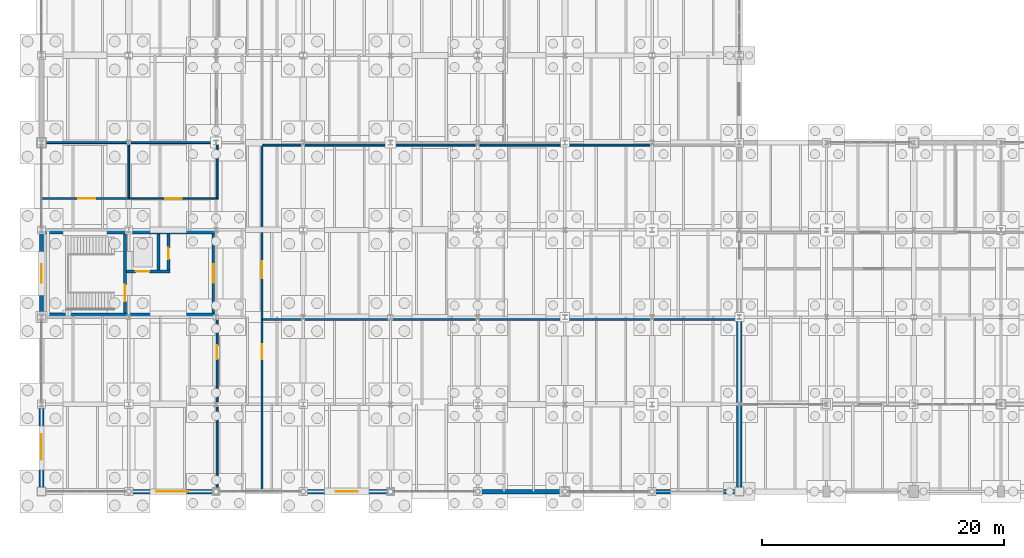
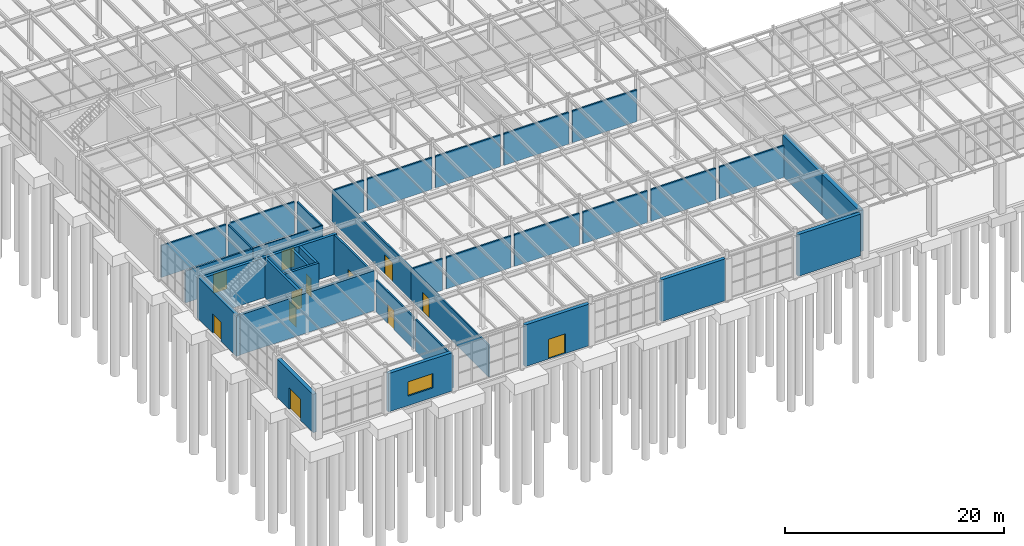
# One storey, part 262 of 293: 36 walls, 12 doors, 1 window, 13 openings.
"""IFC4 building model written with IfcOpenShell, lengths in metres."""

from ifc_helpers import new_model, si_unit, direction, frame, frame_2d, origin, place, context, subcontext, project, spatial, rectangle, extrude, material, layer, layer_set, type_object, element, fill, save


model = new_model("IFC4")

# Units and contexts
model_context = context("Model", 3, precision=1e-05, world=origin(), true_north=direction((0.0, 1.0)))
body_context = subcontext(model_context, "Body", "Model", "MODEL_VIEW")
ifc_project = project(units=[si_unit("LENGTHUNIT", "METRE"), si_unit("AREAUNIT", "SQUARE_METRE"), si_unit("VOLUMEUNIT", "CUBIC_METRE"), si_unit("PLANEANGLEUNIT", "RADIAN"), si_unit("MASSUNIT", "GRAM", prefix="KILO")], contexts=[model_context])

# Site, building, storey
site_placement = place(None, origin())
site = spatial("IfcSite", under=ifc_project, at=site_placement, CompositionType="ELEMENT")
building_placement = place(site_placement, origin())
building = spatial("IfcBuilding", under=site, at=building_placement, Name="Kemerveld Promenade Tramway Depot", CompositionType="ELEMENT")
storey_placement = place(building_placement, origin())
storey = spatial("IfcBuildingStorey", under=building, at=storey_placement, Name="L00", CompositionType="ELEMENT", Elevation=0.0)

# Wall, opening, door
ifc_material_1 = material(Name="Concrete C40/50", Category="concrete")
ifc_layer_1 = layer(ifc_material_1, 0.25)
ifc_layer_set_1 = layer_set([ifc_layer_1], Name="WL-CORE-250")
wall_type_1 = type_object("IfcWallType", Name="WL-CORE-250", PredefinedType="SHEAR", material=ifc_layer_set_1)
wall_1_placement = place(storey_placement, frame((6.89990234375, 14.75, 0.0), z_axis=(0.0, 0.0, 1.0), x_axis=(0.0, 1.0, 0.0)))
wall_1 = element("IfcWall", 1, at=wall_1_placement, inside=storey, type_object=wall_type_1, Name="WL-C1-L00-SDIV", PredefinedType="SHEAR", context=body_context, shape_type="SweptSolid", body=[
    extrude(rectangle(XDim=6.5, YDim=0.25, at=frame_2d((3.25, 0.0))), origin(), (0.0, 0.0, 1.0), 4.449951171875),
])
opening_1_placement = place(wall_1_placement, frame((0.949951171875, 0.0, 0.0)))
opening_1 = element("IfcOpeningElement", 2, at=opening_1_placement, cuts=wall_1, Name="Opening D-501", PredefinedType="OPENING", context=body_context, shape_type="SweptSolid", body=[
    extrude(rectangle(XDim=1.35009765625, YDim=2.14990234375, at=frame_2d((0.675048828125, 1.074951171875))), frame((0.0, 0.135009765625, 0.0), z_axis=(0.0, -1.0, 0.0), x_axis=(1.0, 0.0, 0.0)), (0.0, 0.0, 1.0), 0.27001953125),
])
ifc_material_2 = material(Name="Galvanised steel fire stair door", Category="steel")
door_type_1 = type_object("IfcDoorType", Name="DR-FD120", OperationType="NOTDEFINED", PredefinedType="DOOR", material=ifc_material_2)
door_1_placement = place(opening_1_placement, origin())
door_1 = element("IfcDoor", 3, at=door_1_placement, inside=storey, type_object=door_type_1, Name="DR-C1-L00-STAIR", OperationType="SINGLE_SWING_RIGHT", OverallHeight=2.14990234375, OverallWidth=1.35009765625, PredefinedType="DOOR", context=body_context, shape_type="SweptSolid", body=[
    extrude(rectangle(XDim=1.35009765625, YDim=2.14990234375, at=frame_2d((0.675048828125, 1.074951171875))), frame((0.0, 0.02490234375, 0.0), z_axis=(0.0, -1.0, 0.0), x_axis=(1.0, 0.0, 0.0)), (0.0, 0.0, 1.0), 0.050048828125),
])
fill(opening_1, door_1)

wall_2_placement = place(storey_placement, frame((7.02490234375, 18.159912109375, 0.0), z_axis=(0.0, 0.0, 1.0), x_axis=(1.0, 0.0, 0.0)))
wall_2 = element("IfcWall", 4, at=wall_2_placement, inside=storey, type_object=wall_type_1, Name="WL-C1-L00-LSHS", PredefinedType="SHEAR", context=body_context, shape_type="SweptSolid", body=[
    extrude(rectangle(XDim=3.580078125, YDim=0.25, at=frame_2d((1.7900390625, 0.0))), origin(), (0.0, 0.0, 1.0), 4.449951171875),
])
opening_2_placement = place(wall_2_placement, frame((0.77490234375, 0.0, 0.0)))
opening_2 = element("IfcOpeningElement", 5, at=opening_2_placement, cuts=wall_2, Name="Opening LD-502", PredefinedType="OPENING", context=body_context, shape_type="SweptSolid", body=[
    extrude(rectangle(XDim=1.10009765625, YDim=2.14990234375, at=frame_2d((0.550048828125, 1.074951171875))), frame((0.0, 0.135009765625, 0.0), z_axis=(0.0, -1.0, 0.0), x_axis=(1.0, 0.0, 0.0)), (0.0, 0.0, 1.0), 0.27001953125),
])
ifc_material_3 = material(Name="Brushed stainless steel sliding lift landing door", Category="steel")
door_type_2 = type_object("IfcDoorType", Name="DR-LD01", OperationType="SLIDING_TO_LEFT", PredefinedType="DOOR", material=ifc_material_3)
door_2_placement = place(opening_2_placement, origin())
door_2 = element("IfcDoor", 6, at=door_2_placement, inside=storey, type_object=door_type_2, Name="DR-C1-L00-LIFT", OperationType="SLIDING_TO_LEFT", OverallHeight=2.14990234375, OverallWidth=1.10009765625, PredefinedType="DOOR", context=body_context, shape_type="SweptSolid", body=[
    extrude(rectangle(XDim=1.10009765625, YDim=2.14990234375, at=frame_2d((0.550048828125, 1.074951171875))), frame((0.0, 0.02490234375, 0.0), z_axis=(0.0, -1.0, 0.0), x_axis=(1.0, 0.0, 0.0)), (0.0, 0.0, 1.0), 0.050048828125),
])
fill(opening_2, door_2)

# Wall
wall_3_placement = place(storey_placement, frame((9.64990234375, 18.284912109375, 0.0), z_axis=(0.0, 0.0, 1.0), x_axis=(0.0, 1.0, 0.0)))
element("IfcWall", 7, at=wall_3_placement, inside=storey, type_object=wall_type_1, Name="WL-C1-L00-LSHM", PredefinedType="SHEAR", context=body_context, shape_type="SweptSolid", body=[
    extrude(rectangle(XDim=2.965087890625, YDim=0.25, at=frame_2d((1.482421875, 0.0))), origin(), (0.0, 0.0, 1.0), 4.449951171875),
])

# Wall, opening, door
wall_4_placement = place(storey_placement, frame((10.47998046875, 18.284912109375, 0.0), z_axis=(0.0, 0.0, 1.0), x_axis=(0.0, 1.0, 0.0)))
wall_4 = element("IfcWall", 8, at=wall_4_placement, inside=storey, type_object=wall_type_1, Name="WL-C1-L00-LSHE", PredefinedType="SHEAR", context=body_context, shape_type="SweptSolid", body=[
    extrude(rectangle(XDim=2.965087890625, YDim=0.25, at=frame_2d((1.482421875, 0.0))), origin(), (0.0, 0.0, 1.0), 4.449951171875),
])
opening_3_placement = place(wall_4_placement, frame((0.89990234375, 0.0, 0.0)))
opening_3 = element("IfcOpeningElement", 9, at=opening_3_placement, cuts=wall_4, Name="Opening D-503", PredefinedType="OPENING", context=body_context, shape_type="SweptSolid", body=[
    extrude(rectangle(XDim=0.919921875, YDim=2.050048828125, at=frame_2d((0.4599609375, 1.02490234375))), frame((0.0, 0.135009765625, 0.0), z_axis=(0.0, -1.0, 0.0), x_axis=(1.0, 0.0, 0.0)), (0.0, 0.0, 1.0), 0.27001953125),
])
ifc_material_4 = material(Name="Steel riser shaft access fire door", Category="steel")
door_type_3 = type_object("IfcDoorType", Name="DR-RSR01", OperationType="NOTDEFINED", PredefinedType="DOOR", material=ifc_material_4)
door_3_placement = place(opening_3_placement, origin())
door_3 = element("IfcDoor", 10, at=door_3_placement, inside=storey, type_object=door_type_3, Name="DR-C1-L00-RISER", OperationType="SINGLE_SWING_LEFT", OverallHeight=2.050048828125, OverallWidth=0.919921875, PredefinedType="DOOR", context=body_context, shape_type="SweptSolid", body=[
    extrude(rectangle(XDim=0.919921875, YDim=2.050048828125, at=frame_2d((0.4599609375, 1.02490234375))), frame((0.0, 0.02490234375, 0.0), z_axis=(0.0, -1.0, 0.0), x_axis=(1.0, 0.0, 0.0)), (0.0, 0.0, 1.0), 0.050048828125),
])
fill(opening_3, door_3)

# Walls
ifc_layer_2 = layer(ifc_material_1, 0.300048828125)
ifc_layer_set_2 = layer_set([ifc_layer_2], Name="WL-CORE-300")
wall_type_2 = type_object("IfcWallType", Name="WL-CORE-300", PredefinedType="SHEAR", material=ifc_layer_set_2)
for number, where, z_axis, x_axis, name in (
    (11, (0.169921875, 14.60009765625, 0.0), (0.0, 0.0, 1.0), (1.0, 0.0, 0.0), "WL-C1-L00-S"),
    (12, (0.169921875, 21.39990234375, 0.0), (0.0, 0.0, 1.0), (1.0, 0.0, 0.0), "WL-C1-L00-N"),
):
    element("IfcWall", number, at=place(storey_placement, frame(where, z_axis=z_axis, x_axis=x_axis)), inside=storey, type_object=wall_type_2, Name=name, PredefinedType="SHEAR", context=body_context, shape_type="SweptSolid", body=[
        extrude(rectangle(XDim=14.22998046875, YDim=0.300048828125, at=frame_2d((7.114990234375, 0.0))), origin(), (0.0, 0.0, 1.0), 4.449951171875),
    ])

# Wall, opening, door
ifc_material_5 = material(Name="Harare granite ashlar and clay brick cavity masonry", Category="masonry")
ifc_layer_3 = layer(ifc_material_5, 0.3798828125)
ifc_layer_set_3 = layer_set([ifc_layer_3], Name="WL-EXT-380")
wall_type_3 = type_object("IfcWallType", Name="WL-EXT-380", PredefinedType="SOLIDWALL", material=ifc_layer_set_3)
wall_5_placement = place(storey_placement, frame((0.0, 0.39501953125, 0.0), z_axis=(0.0, 0.0, 1.0), x_axis=(0.0, 1.0, 0.0)))
wall_5 = element("IfcWall", 13, at=wall_5_placement, inside=storey, type_object=wall_type_3, Name="WL-L00-V5W-01", PredefinedType="SOLIDWALL", context=body_context, shape_type="SweptSolid", body=[
    extrude(rectangle(XDim=6.5986328125, YDim=0.3798828125, at=frame_2d((3.29931640625, 0.0))), origin(), (0.0, 0.0, 1.0), 4.280029296875),
])
opening_4_placement = place(wall_5_placement, frame((2.2490234375, 0.0, 0.0)))
opening_4 = element("IfcOpeningElement", 14, at=opening_4_placement, cuts=wall_5, Name="Opening D-125", PredefinedType="OPENING", context=body_context, shape_type="SweptSolid", body=[
    extrude(rectangle(XDim=2.10009765625, YDim=2.35009765625, at=frame_2d((1.050048828125, 1.175048828125))), frame((0.0, 0.199951171875, 0.0), z_axis=(0.0, -1.0, 0.0), x_axis=(1.0, 0.0, 0.0)), (0.0, 0.0, 1.0), 0.39990234375),
])
ifc_material_6 = material(Name="Hardwood timber and bronze glazed portal door", Category="wood")
door_type_4 = type_object("IfcDoorType", Name="DR-EX03", OperationType="DOUBLE_SWING_LEFT", PredefinedType="DOOR", material=ifc_material_6)
door_4_placement = place(opening_4_placement, origin())
door_4 = element("IfcDoor", 15, at=door_4_placement, inside=storey, type_object=door_type_4, Name="EX-07", OperationType="DOUBLE_SWING_LEFT", OverallHeight=2.35009765625, OverallWidth=2.10009765625, PredefinedType="DOOR", context=body_context, shape_type="SweptSolid", body=[
    extrude(rectangle(XDim=2.10009765625, YDim=2.35009765625, at=frame_2d((1.050048828125, 1.175048828125))), frame((0.0, 0.02490234375, 0.0), z_axis=(0.0, -1.0, 0.0), x_axis=(1.0, 0.0, 0.0)), (0.0, 0.0, 1.0), 0.050048828125),
])
fill(opening_4, door_4)

# Walls
wall_6_placement = place(storey_placement, frame((57.205078125, 0.0, 0.0), z_axis=(0.0, 0.0, 1.0), x_axis=(-1.0, 0.0, 0.0)))
element("IfcWall", 16, at=wall_6_placement, inside=storey, type_object=wall_type_3, Name="WL-L00-V5S-01", PredefinedType="SOLIDWALL", context=body_context, shape_type="SweptSolid", body=[
    extrude(rectangle(XDim=6.581787109375, YDim=0.3798828125, at=frame_2d((3.291015625, 0.0))), origin(), (0.0, 0.0, 1.0), 4.64990234375),
])
wall_7_placement = place(storey_placement, frame((42.976806640625, 0.0, 0.0), z_axis=(0.0, 0.0, 1.0), x_axis=(-1.0, 0.0, 0.0)))
element("IfcWall", 17, at=wall_7_placement, inside=storey, type_object=wall_type_3, Name="WL-L00-V5S-03", PredefinedType="SOLIDWALL", context=body_context, shape_type="SweptSolid", body=[
    extrude(rectangle(XDim=6.753662109375, YDim=0.3798828125, at=frame_2d((3.376953125, 0.0))), origin(), (0.0, 0.0, 1.0), 4.64990234375),
])

# Wall, opening, door
wall_8_placement = place(storey_placement, frame((28.576904296875, 0.0, 0.0), z_axis=(0.0, 0.0, 1.0), x_axis=(-1.0, 0.0, 0.0)))
wall_8 = element("IfcWall", 18, at=wall_8_placement, inside=storey, type_object=wall_type_3, Name="WL-L00-V5S-05", PredefinedType="SOLIDWALL", context=body_context, shape_type="SweptSolid", body=[
    extrude(rectangle(XDim=6.753662109375, YDim=0.3798828125, at=frame_2d((3.376953125, 0.0))), origin(), (0.0, 0.0, 1.0), 4.64990234375),
])
opening_5_placement = place(wall_8_placement, frame((2.47705078125, 0.0, 0.0)))
opening_5 = element("IfcOpeningElement", 19, at=opening_5_placement, cuts=wall_8, Name="Opening D-127", PredefinedType="OPENING", context=body_context, shape_type="SweptSolid", body=[
    extrude(rectangle(XDim=1.800048828125, YDim=2.199951171875, at=frame_2d((0.89990234375, 1.10009765625))), frame((0.0, 0.199951171875, 0.0), z_axis=(0.0, -1.0, 0.0), x_axis=(1.0, 0.0, 0.0)), (0.0, 0.0, 1.0), 0.39990234375),
])
ifc_material_7 = material(Name="Bronze anodised aluminium and safety glass", Category="aluminium")
door_type_5 = type_object("IfcDoorType", Name="DR-EX01", OperationType="DOUBLE_SWING_LEFT", PredefinedType="DOOR", material=ifc_material_7)
door_5_placement = place(opening_5_placement, origin())
door_5 = element("IfcDoor", 20, at=door_5_placement, inside=storey, type_object=door_type_5, Name="EX-08", OperationType="DOUBLE_SWING_LEFT", OverallHeight=2.199951171875, OverallWidth=1.800048828125, PredefinedType="DOOR", context=body_context, shape_type="SweptSolid", body=[
    extrude(rectangle(XDim=1.800048828125, YDim=2.199951171875, at=frame_2d((0.89990234375, 1.10009765625))), frame((0.0, 0.02490234375, 0.0), z_axis=(0.0, -1.0, 0.0), x_axis=(1.0, 0.0, 0.0)), (0.0, 0.0, 1.0), 0.050048828125),
])
fill(opening_5, door_5)

# Wall, opening, window
wall_9_placement = place(storey_placement, frame((14.1767578125, 0.0, 0.0), z_axis=(0.0, 0.0, 1.0), x_axis=(-1.0, 0.0, 0.0)))
wall_9 = element("IfcWall", 21, at=wall_9_placement, inside=storey, type_object=wall_type_3, Name="WL-L00-V5S-07", PredefinedType="SOLIDWALL", context=body_context, shape_type="SweptSolid", body=[
    extrude(rectangle(XDim=6.753662109375, YDim=0.3798828125, at=frame_2d((3.376953125, 0.0))), origin(), (0.0, 0.0, 1.0), 4.280029296875),
])
opening_6_placement = place(wall_9_placement, frame((2.052001953125, 0.0, 1.050048828125)))
opening_6 = element("IfcOpeningElement", 22, at=opening_6_placement, cuts=wall_9, Name="Opening W-111", PredefinedType="OPENING", context=body_context, shape_type="SweptSolid", body=[
    extrude(rectangle(XDim=2.64990234375, YDim=1.60009765625, at=frame_2d((1.324951171875, 0.800048828125))), frame((0.0, 0.199951171875, 0.0), z_axis=(0.0, -1.0, 0.0), x_axis=(1.0, 0.0, 0.0)), (0.0, 0.0, 1.0), 0.39990234375),
])
ifc_material_8 = material(Name="Bronze anodised aluminium and low-e glass", Category="aluminium")
window_type = type_object("IfcWindowType", Name="WN-40", PartitioningType="SINGLE_PANEL", PredefinedType="WINDOW", material=ifc_material_8)
window_placement = place(opening_6_placement, origin())
window = element("IfcWindow", 23, at=window_placement, inside=storey, type_object=window_type, Name="WN-L00-V5S-07", OverallHeight=1.60009765625, OverallWidth=2.64990234375, PartitioningType="SINGLE_PANEL", PredefinedType="WINDOW", context=body_context, shape_type="SweptSolid", body=[
    extrude(rectangle(XDim=2.64990234375, YDim=1.60009765625, at=frame_2d((1.324951171875, 0.800048828125))), frame((0.0, 0.030029296875, 0.0), z_axis=(0.0, -1.0, 0.0), x_axis=(1.0, 0.0, 0.0)), (0.0, 0.0, 1.0), 0.06005859375),
])
fill(opening_6, window)

# Wall, opening, door
ifc_layer_4 = layer(ifc_material_1, 0.360107421875)
ifc_layer_set_4 = layer_set([ifc_layer_4], Name="WL-EXT-CORE")
wall_type_4 = type_object("IfcWallType", Name="WL-EXT-CORE", PredefinedType="SHEAR", material=ifc_layer_set_4)
wall_10_placement = place(storey_placement, frame((0.0, 14.39990234375, 0.0), z_axis=(0.0, 0.0, 1.0), x_axis=(0.0, 1.0, 0.0)))
wall_10 = element("IfcWall", 24, at=wall_10_placement, inside=storey, type_object=wall_type_4, Name="WL-L00-V5W-03", PredefinedType="SHEAR", context=body_context, shape_type="SweptSolid", body=[
    extrude(rectangle(XDim=7.2001953125, YDim=0.360107421875, at=frame_2d((3.60009765625, 0.0))), origin(), (0.0, 0.0, 1.0), 4.593505859375),
])
opening_7_placement = place(wall_10_placement, frame((2.85009765625, 0.0, 0.0)))
opening_7 = element("IfcOpeningElement", 25, at=opening_7_placement, cuts=wall_10, Name="Opening D-123", PredefinedType="OPENING", context=body_context, shape_type="SweptSolid", body=[
    extrude(rectangle(XDim=1.5, YDim=2.14990234375, at=frame_2d((0.75, 1.074951171875))), frame((0.0, 0.18994140625, 0.0), z_axis=(0.0, -1.0, 0.0), x_axis=(1.0, 0.0, 0.0)), (0.0, 0.0, 1.0), 0.380126953125),
])
ifc_material_9 = material(Name="Galvanised painted steel fire-exit door", Category="steel")
door_type_6 = type_object("IfcDoorType", Name="DR-EX04", OperationType="NOTDEFINED", PredefinedType="DOOR", material=ifc_material_9)
door_6_placement = place(opening_7_placement, origin())
door_6 = element("IfcDoor", 26, at=door_6_placement, inside=storey, type_object=door_type_6, Name="EX-01", OperationType="SINGLE_SWING_LEFT", OverallHeight=2.14990234375, OverallWidth=1.5, PredefinedType="DOOR", context=body_context, shape_type="SweptSolid", body=[
    extrude(rectangle(XDim=1.5, YDim=2.14990234375, at=frame_2d((0.75, 1.074951171875))), frame((0.0, 0.02490234375, 0.0), z_axis=(0.0, -1.0, 0.0), x_axis=(1.0, 0.0, 0.0)), (0.0, 0.0, 1.0), 0.050048828125),
])
fill(opening_7, door_6)

# Walls
ifc_layer_5 = layer(ifc_material_1, 0.449951171875)
ifc_layer_set_5 = layer_set([ifc_layer_5], Name="WL-FIRE-450")
wall_type_5 = type_object("IfcWallType", Name="WL-FIRE-450", PredefinedType="SOLIDWALL", material=ifc_layer_set_5)
wall_11_placement = place(storey_placement, frame((57.60009765625, 0.375, 0.0), z_axis=(0.0, 0.0, 1.0), x_axis=(0.0, 1.0, 0.0)))
element("IfcWall", 27, at=wall_11_placement, inside=storey, type_object=wall_type_5, Name="WL-FIRE-L00-F54-1", PredefinedType="SOLIDWALL", context=body_context, shape_type="SweptSolid", body=[
    extrude(rectangle(XDim=6.824951171875, YDim=0.449951171875, at=frame_2d((3.41259765625, 0.0))), origin(), (0.0, 0.0, 1.0), 4.593505859375),
])
wall_12_placement = place(storey_placement, frame((57.60009765625, 7.199951171875, 0.0), z_axis=(0.0, 0.0, 1.0), x_axis=(0.0, 1.0, 0.0)))
element("IfcWall", 28, at=wall_12_placement, inside=storey, type_object=wall_type_5, Name="WL-FIRE-L00-F54-2", PredefinedType="SOLIDWALL", context=body_context, shape_type="SweptSolid", body=[
    extrude(rectangle(XDim=7.199951171875, YDim=0.449951171875, at=frame_2d((3.60009765625, 0.0))), origin(), (0.0, 0.0, 1.0), 4.593505859375),
])

# Wall, opening, door
ifc_material_10 = material(Name="Concrete blockwork C35/45", Category="masonry")
ifc_layer_6 = layer(ifc_material_10, 0.199951171875)
ifc_layer_set_6 = layer_set([ifc_layer_6], Name="WL-LOB-200")
wall_type_6 = type_object("IfcWallType", Name="WL-LOB-200", PredefinedType="SOLIDWALL", material=ifc_layer_set_6)
wall_13_placement = place(storey_placement, frame((14.179931640625, 14.75, 0.0), z_axis=(0.0, 0.0, 1.0), x_axis=(0.0, 1.0, 0.0)))
wall_13 = element("IfcWall", 29, at=wall_13_placement, inside=storey, type_object=wall_type_6, Name="WL-C1-L00-LOB", PredefinedType="SOLIDWALL", context=body_context, shape_type="SweptSolid", body=[
    extrude(rectangle(XDim=6.5, YDim=0.199951171875, at=frame_2d((3.25, 0.0))), origin(), (0.0, 0.0, 1.0), 4.449951171875),
])
opening_8_placement = place(wall_13_placement, frame((2.5, 0.0, 0.0)))
opening_8 = element("IfcOpeningElement", 30, at=opening_8_placement, cuts=wall_13, Name="Opening D-504", PredefinedType="OPENING", context=body_context, shape_type="SweptSolid", body=[
    extrude(rectangle(XDim=1.5, YDim=2.14990234375, at=frame_2d((0.75, 1.074951171875))), frame((0.0, 0.10986328125, 0.0), z_axis=(0.0, -1.0, 0.0), x_axis=(1.0, 0.0, 0.0)), (0.0, 0.0, 1.0), 0.219970703125),
])
ifc_material_11 = material(Name="Timber-faced acoustic fire lobby door", Category="wood")
door_type_7 = type_object("IfcDoorType", Name="DR-FD60A", OperationType="NOTDEFINED", PredefinedType="DOOR", material=ifc_material_11)
door_7_placement = place(opening_8_placement, origin())
door_7 = element("IfcDoor", 31, at=door_7_placement, inside=storey, type_object=door_type_7, Name="DR-C1-L00-LOBBY", OperationType="SINGLE_SWING_RIGHT", OverallHeight=2.14990234375, OverallWidth=1.5, PredefinedType="DOOR", context=body_context, shape_type="SweptSolid", body=[
    extrude(rectangle(XDim=1.5, YDim=2.14990234375, at=frame_2d((0.75, 1.074951171875))), frame((0.0, 0.02490234375, 0.0), z_axis=(0.0, -1.0, 0.0), x_axis=(1.0, 0.0, 0.0)), (0.0, 0.0, 1.0), 0.050048828125),
])
fill(opening_8, door_7)

ifc_material_12 = material(Name="Standard acoustic office partition")
ifc_layer_7 = layer(ifc_material_12, 0.114990234375)
ifc_layer_set_7 = layer_set([ifc_layer_7], Name="WL-PRT-115")
wall_type_7 = type_object("IfcWallType", Name="WL-PRT-115", PredefinedType="PARTITIONING", material=ifc_layer_set_7)
wall_14_placement = place(storey_placement, frame((7.199951171875, 24.199951171875, 0.0), z_axis=(0.0, 0.0, 1.0), x_axis=(1.0, 0.0, 0.0)))
wall_14 = element("IfcWall", 32, at=wall_14_placement, inside=storey, type_object=wall_type_7, Name="WL-PRT-RM-L00-V5-SEC", PredefinedType="PARTITIONING", context=body_context, shape_type="SweptSolid", body=[
    extrude(rectangle(XDim=7.400146484375, YDim=0.114990234375, at=frame_2d((3.7001953125, 0.0))), origin(), (0.0, 0.0, 1.0), 3.550048828125),
])
opening_9_placement = place(wall_14_placement, frame((3.030029296875, 0.0, 0.0)))
opening_9 = element("IfcOpeningElement", 33, at=opening_9_placement, cuts=wall_14, Name="Opening D-612", PredefinedType="OPENING", context=body_context, shape_type="SweptSolid", body=[
    extrude(rectangle(XDim=1.340087890625, YDim=2.199951171875, at=frame_2d((0.669921875, 1.10009765625))), frame((0.0, 0.0673828125, 0.0), z_axis=(0.0, -1.0, 0.0), x_axis=(1.0, 0.0, 0.0)), (0.0, 0.0, 1.0), 0.135009765625),
])
ifc_material_13 = material(Name="Hardwood interior room door", Category="wood")
door_type_8 = type_object("IfcDoorType", Name="DR-INT28", OperationType="NOTDEFINED", PredefinedType="DOOR", material=ifc_material_13)
door_8_placement = place(opening_9_placement, origin())
door_8 = element("IfcDoor", 34, at=door_8_placement, inside=storey, type_object=door_type_8, Name="DR-RM-RM-L00-V5-SEC", OperationType="SINGLE_SWING_RIGHT", OverallHeight=2.199951171875, OverallWidth=1.340087890625, PredefinedType="DOOR", context=body_context, shape_type="SweptSolid", body=[
    extrude(rectangle(XDim=1.340087890625, YDim=2.199951171875, at=frame_2d((0.669921875, 1.10009765625))), frame((0.0, 0.02490234375, 0.0), z_axis=(0.0, -1.0, 0.0), x_axis=(1.0, 0.0, 0.0)), (0.0, 0.0, 1.0), 0.050048828125),
])
fill(opening_9, door_8)

ifc_material_14 = material(Name="Fire-rated gypsum stud partition")
ifc_layer_8 = layer(ifc_material_14, 0.14501953125)
ifc_layer_set_8 = layer_set([ifc_layer_8], Name="WL-PRT-145")
wall_type_8 = type_object("IfcWallType", Name="WL-PRT-145", PredefinedType="PARTITIONING", material=ifc_layer_set_8)
wall_15_placement = place(storey_placement, frame((18.199951171875, 0.080078125, 0.0), z_axis=(0.0, 0.0, 1.0), x_axis=(0.0, 1.0, 0.0)))
wall_15 = element("IfcWall", 35, at=wall_15_placement, inside=storey, type_object=wall_type_8, Name="WL-PRT-RM-L00-V5-SIGN", PredefinedType="PARTITIONING", context=body_context, shape_type="SweptSolid", body=[
    extrude(rectangle(XDim=14.119873046875, YDim=0.14501953125, at=frame_2d((7.06005859375, 0.0))), origin(), (0.0, 0.0, 1.0), 3.550048828125),
])
opening_10_placement = place(wall_15_placement, frame((10.840087890625, 0.0, 0.0)))
opening_10 = element("IfcOpeningElement", 36, at=opening_10_placement, cuts=wall_15, Name="Opening D-610", PredefinedType="OPENING", context=body_context, shape_type="SweptSolid", body=[
    extrude(rectangle(XDim=1.219970703125, YDim=2.159912109375, at=frame_2d((0.60986328125, 1.080078125))), frame((0.0, 0.08251953125, 0.0), z_axis=(0.0, -1.0, 0.0), x_axis=(1.0, 0.0, 0.0)), (0.0, 0.0, 1.0), 0.1650390625),
])
door_type_9 = type_object("IfcDoorType", Name="DR-INT26", OperationType="NOTDEFINED", PredefinedType="DOOR", material=ifc_material_13)
door_9_placement = place(opening_10_placement, origin())
door_9 = element("IfcDoor", 37, at=door_9_placement, inside=storey, type_object=door_type_9, Name="DR-RM-RM-L00-V5-SIGN", OperationType="SINGLE_SWING_RIGHT", OverallHeight=2.159912109375, OverallWidth=1.219970703125, PredefinedType="DOOR", context=body_context, shape_type="SweptSolid", body=[
    extrude(rectangle(XDim=1.219970703125, YDim=2.159912109375, at=frame_2d((0.60986328125, 1.080078125))), frame((0.0, 0.02490234375, 0.0), z_axis=(0.0, -1.0, 0.0), x_axis=(1.0, 0.0, 0.0)), (0.0, 0.0, 1.0), 0.050048828125),
])
fill(opening_10, door_9)

# Wall
ifc_material_15 = material(Name="Acoustic twin-stud gypsum partition")
ifc_layer_9 = layer(ifc_material_15, 0.159912109375)
ifc_layer_set_9 = layer_set([ifc_layer_9], Name="WL-PRT-160")
wall_type_9 = type_object("IfcWallType", Name="WL-PRT-160", PredefinedType="PARTITIONING", material=ifc_layer_set_9)
wall_16_placement = place(storey_placement, frame((14.5, 0.205078125, 0.0), z_axis=(0.0, 0.0, 1.0), x_axis=(0.0, 1.0, 0.0)))
element("IfcWall", 38, at=wall_16_placement, inside=storey, type_object=wall_type_9, Name="WL-PRT-RM-L00-V5-LOB-S1", PredefinedType="PARTITIONING", context=body_context, shape_type="SweptSolid", body=[
    extrude(rectangle(XDim=6.808837890625, YDim=0.159912109375, at=frame_2d((3.404296875, 0.0))), origin(), (0.0, 0.0, 1.0), 3.550048828125),
])

# Wall, opening, door
wall_17_placement = place(storey_placement, frame((14.5, 7.385986328125, 0.0), z_axis=(0.0, 0.0, 1.0), x_axis=(0.0, 1.0, 0.0)))
wall_17 = element("IfcWall", 39, at=wall_17_placement, inside=storey, type_object=wall_type_9, Name="WL-PRT-RM-L00-V5-LOB", PredefinedType="PARTITIONING", context=body_context, shape_type="SweptSolid", body=[
    extrude(rectangle(XDim=6.828125, YDim=0.159912109375, at=frame_2d((3.4140625, 0.0))), origin(), (0.0, 0.0, 1.0), 3.550048828125),
])
opening_11_placement = place(wall_17_placement, frame((3.533935546875, 0.0, 0.0)))
opening_11 = element("IfcOpeningElement", 40, at=opening_11_placement, cuts=wall_17, Name="Opening D-609", PredefinedType="OPENING", context=body_context, shape_type="SweptSolid", body=[
    extrude(rectangle(XDim=1.159912109375, YDim=2.139892578125, at=frame_2d((0.580078125, 1.06982421875))), frame((0.0, 0.08984375, 0.0), z_axis=(0.0, -1.0, 0.0), x_axis=(1.0, 0.0, 0.0)), (0.0, 0.0, 1.0), 0.179931640625),
])
door_type_10 = type_object("IfcDoorType", Name="DR-INT25", OperationType="NOTDEFINED", PredefinedType="DOOR", material=ifc_material_13)
door_10_placement = place(opening_11_placement, origin())
door_10 = element("IfcDoor", 41, at=door_10_placement, inside=storey, type_object=door_type_10, Name="DR-RM-RM-L00-V5-LOB", OperationType="SINGLE_SWING_LEFT", OverallHeight=2.139892578125, OverallWidth=1.159912109375, PredefinedType="DOOR", context=body_context, shape_type="SweptSolid", body=[
    extrude(rectangle(XDim=1.159912109375, YDim=2.139892578125, at=frame_2d((0.580078125, 1.06982421875))), frame((0.0, 0.02490234375, 0.0), z_axis=(0.0, -1.0, 0.0), x_axis=(1.0, 0.0, 0.0)), (0.0, 0.0, 1.0), 0.050048828125),
])
fill(opening_11, door_10)

wall_18_placement = place(storey_placement, frame((18.199951171875, 14.199951171875, 0.0), z_axis=(0.0, 0.0, 1.0), x_axis=(0.0, 1.0, 0.0)))
wall_18 = element("IfcWall", 42, at=wall_18_placement, inside=storey, type_object=wall_type_9, Name="WL-PRT-RM-L00-V5-DISP", PredefinedType="PARTITIONING", context=body_context, shape_type="SweptSolid", body=[
    extrude(rectangle(XDim=14.400146484375, YDim=0.159912109375, at=frame_2d((7.2001953125, 0.0))), origin(), (0.0, 0.0, 1.0), 3.550048828125),
])
opening_12_placement = place(wall_18_placement, frame((3.409912109375, 0.0, 0.0)))
opening_12 = element("IfcOpeningElement", 43, at=opening_12_placement, cuts=wall_18, Name="Opening D-613", PredefinedType="OPENING", context=body_context, shape_type="SweptSolid", body=[
    extrude(rectangle(XDim=1.39990234375, YDim=2.14990234375, at=frame_2d((0.699951171875, 1.074951171875))), frame((0.0, 0.08984375, 0.0), z_axis=(0.0, -1.0, 0.0), x_axis=(1.0, 0.0, 0.0)), (0.0, 0.0, 1.0), 0.179931640625),
])
ifc_material_16 = material(Name="Timber-faced fire corridor door", Category="wood")
door_type_11 = type_object("IfcDoorType", Name="DR-FD60B", OperationType="NOTDEFINED", PredefinedType="DOOR", material=ifc_material_16)
door_11_placement = place(opening_12_placement, origin())
door_11 = element("IfcDoor", 44, at=door_11_placement, inside=storey, type_object=door_type_11, Name="DR-RM-RM-L00-V5-DISP", OperationType="SINGLE_SWING_LEFT", OverallHeight=2.14990234375, OverallWidth=1.39990234375, PredefinedType="DOOR", context=body_context, shape_type="SweptSolid", body=[
    extrude(rectangle(XDim=1.39990234375, YDim=2.14990234375, at=frame_2d((0.699951171875, 1.074951171875))), frame((0.0, 0.02490234375, 0.0), z_axis=(0.0, -1.0, 0.0), x_axis=(1.0, 0.0, 0.0)), (0.0, 0.0, 1.0), 0.050048828125),
])
fill(opening_12, door_11)

# Walls
wall_19_placement = place(storey_placement, frame((18.280029296875, 14.199951171875, 0.0), z_axis=(0.0, 0.0, 1.0), x_axis=(1.0, 0.0, 0.0)))
element("IfcWall", 45, at=wall_19_placement, inside=storey, type_object=wall_type_9, Name="WL-DIV-L00-027", PredefinedType="PARTITIONING", context=body_context, shape_type="SweptSolid", body=[
    extrude(rectangle(XDim=3.132080078125, YDim=0.159912109375, at=frame_2d((1.56591796875, 0.0))), origin(), (0.0, 0.0, 1.0), 3.550048828125),
])
for number, where, z_axis, x_axis, name in (
    (46, (21.7880859375, 14.199951171875, 0.0), (0.0, 0.0, 1.0), (1.0, 0.0, 0.0), "WL-DIV-L00-028"),
    (47, (28.988037109375, 14.199951171875, 0.0), (0.0, 0.0, 1.0), (1.0, 0.0, 0.0), "WL-DIV-L00-029"),
    (48, (36.18798828125, 14.199951171875, 0.0), (0.0, 0.0, 1.0), (1.0, 0.0, 0.0), "WL-DIV-L00-030"),
    (49, (43.387939453125, 14.199951171875, 0.0), (0.0, 0.0, 1.0), (1.0, 0.0, 0.0), "WL-DIV-L00-031"),
):
    element("IfcWall", number, at=place(storey_placement, frame(where, z_axis=z_axis, x_axis=x_axis)), inside=storey, type_object=wall_type_9, Name=name, PredefinedType="PARTITIONING", context=body_context, shape_type="SweptSolid", body=[
        extrude(rectangle(XDim=6.823974609375, YDim=0.159912109375, at=frame_2d((3.412109375, 0.0))), origin(), (0.0, 0.0, 1.0), 3.550048828125),
    ])
wall_20_placement = place(storey_placement, frame((50.587890625, 14.199951171875, 0.0), z_axis=(0.0, 0.0, 1.0), x_axis=(1.0, 0.0, 0.0)))
element("IfcWall", 50, at=wall_20_placement, inside=storey, type_object=wall_type_9, Name="WL-DIV-L00-032", PredefinedType="PARTITIONING", context=body_context, shape_type="SweptSolid", body=[
    extrude(rectangle(XDim=6.787109375, YDim=0.159912109375, at=frame_2d((3.3935546875, 0.0))), origin(), (0.0, 0.0, 1.0), 3.550048828125),
])
wall_21_placement = place(storey_placement, frame((7.199951171875, 24.287109375, 0.0), z_axis=(0.0, 0.0, 1.0), x_axis=(0.0, 1.0, 0.0)))
element("IfcWall", 51, at=wall_21_placement, inside=storey, type_object=wall_type_9, Name="WL-DIV-L00-033", PredefinedType="PARTITIONING", context=body_context, shape_type="SweptSolid", body=[
    extrude(rectangle(XDim=4.326904296875, YDim=0.159912109375, at=frame_2d((2.16357421875, 0.0))), origin(), (0.0, 0.0, 1.0), 3.550048828125),
])
wall_22_placement = place(storey_placement, frame((0.18994140625, 28.800048828125, 0.0), z_axis=(0.0, 0.0, 1.0), x_axis=(1.0, 0.0, 0.0)))
element("IfcWall", 52, at=wall_22_placement, inside=storey, type_object=wall_type_9, Name="WL-DIV-L00-034", PredefinedType="PARTITIONING", context=body_context, shape_type="SweptSolid", body=[
    extrude(rectangle(XDim=6.822021484375, YDim=0.159912109375, at=frame_2d((3.4111328125, 0.0))), origin(), (0.0, 0.0, 1.0), 3.550048828125),
])
wall_23_placement = place(storey_placement, frame((14.5, 24.258056640625, 0.0), z_axis=(0.0, 0.0, 1.0), x_axis=(0.0, 1.0, 0.0)))
element("IfcWall", 53, at=wall_23_placement, inside=storey, type_object=wall_type_9, Name="WL-DIV-L00-035", PredefinedType="PARTITIONING", context=body_context, shape_type="SweptSolid", body=[
    extrude(rectangle(XDim=4.35595703125, YDim=0.159912109375, at=frame_2d((2.177978515625, 0.0))), origin(), (0.0, 0.0, 1.0), 3.550048828125),
])
wall_24_placement = place(storey_placement, frame((7.387939453125, 28.800048828125, 0.0), z_axis=(0.0, 0.0, 1.0), x_axis=(1.0, 0.0, 0.0)))
element("IfcWall", 54, at=wall_24_placement, inside=storey, type_object=wall_type_9, Name="WL-DIV-L00-036", PredefinedType="PARTITIONING", context=body_context, shape_type="SweptSolid", body=[
    extrude(rectangle(XDim=6.823974609375, YDim=0.159912109375, at=frame_2d((3.412109375, 0.0))), origin(), (0.0, 0.0, 1.0), 3.550048828125),
])
wall_25_placement = place(storey_placement, frame((18.280029296875, 28.60009765625, 0.0), z_axis=(0.0, 0.0, 1.0), x_axis=(1.0, 0.0, 0.0)))
element("IfcWall", 55, at=wall_25_placement, inside=storey, type_object=wall_type_9, Name="WL-DIV-L00-037", PredefinedType="PARTITIONING", context=body_context, shape_type="SweptSolid", body=[
    extrude(rectangle(XDim=3.132080078125, YDim=0.159912109375, at=frame_2d((1.56591796875, 0.0))), origin(), (0.0, 0.0, 1.0), 3.550048828125),
])
for number, where, z_axis, x_axis, name in (
    (56, (21.7880859375, 28.60009765625, 0.0), (0.0, 0.0, 1.0), (1.0, 0.0, 0.0), "WL-DIV-L00-038"),
    (57, (28.988037109375, 28.60009765625, 0.0), (0.0, 0.0, 1.0), (1.0, 0.0, 0.0), "WL-DIV-L00-039"),
    (58, (36.18798828125, 28.60009765625, 0.0), (0.0, 0.0, 1.0), (1.0, 0.0, 0.0), "WL-DIV-L00-040"),
    (59, (43.387939453125, 28.60009765625, 0.0), (0.0, 0.0, 1.0), (1.0, 0.0, 0.0), "WL-DIV-L00-041"),
):
    element("IfcWall", number, at=place(storey_placement, frame(where, z_axis=z_axis, x_axis=x_axis)), inside=storey, type_object=wall_type_9, Name=name, PredefinedType="PARTITIONING", context=body_context, shape_type="SweptSolid", body=[
        extrude(rectangle(XDim=6.823974609375, YDim=0.159912109375, at=frame_2d((3.412109375, 0.0))), origin(), (0.0, 0.0, 1.0), 3.550048828125),
    ])

# Wall, opening, door
ifc_material_17 = material(Name="Workshop acoustic block partition")
ifc_layer_10 = layer(ifc_material_17, 0.175048828125)
ifc_layer_set_10 = layer_set([ifc_layer_10], Name="WL-PRT-175")
wall_type_10 = type_object("IfcWallType", Name="WL-PRT-175", PredefinedType="PARTITIONING", material=ifc_layer_set_10)
wall_26_placement = place(storey_placement, frame((0.080078125, 24.199951171875, 0.0), z_axis=(0.0, 0.0, 1.0), x_axis=(1.0, 0.0, 0.0)))
wall_26 = element("IfcWall", 60, at=wall_26_placement, inside=storey, type_object=wall_type_10, Name="WL-PRT-RM-L00-V5-FCC", PredefinedType="PARTITIONING", context=body_context, shape_type="SweptSolid", body=[
    extrude(rectangle(XDim=7.119873046875, YDim=0.175048828125, at=frame_2d((3.56005859375, 0.0))), origin(), (0.0, 0.0, 1.0), 3.550048828125),
])
opening_13_placement = place(wall_26_placement, frame((2.969970703125, 0.0, 0.0)))
opening_13 = element("IfcOpeningElement", 61, at=opening_13_placement, cuts=wall_26, Name="Opening D-611", PredefinedType="OPENING", context=body_context, shape_type="SweptSolid", body=[
    extrude(rectangle(XDim=1.39990234375, YDim=2.14990234375, at=frame_2d((0.699951171875, 1.074951171875))), frame((0.0, 0.097412109375, 0.0), z_axis=(0.0, -1.0, 0.0), x_axis=(1.0, 0.0, 0.0)), (0.0, 0.0, 1.0), 0.195068359375),
])
door_12_placement = place(opening_13_placement, origin())
door_12 = element("IfcDoor", 62, at=door_12_placement, inside=storey, type_object=door_type_11, Name="DR-RM-RM-L00-V5-FCC", OperationType="SINGLE_SWING_LEFT", OverallHeight=2.14990234375, OverallWidth=1.39990234375, PredefinedType="DOOR", context=body_context, shape_type="SweptSolid", body=[
    extrude(rectangle(XDim=1.39990234375, YDim=2.14990234375, at=frame_2d((0.699951171875, 1.074951171875))), frame((0.0, 0.02490234375, 0.0), z_axis=(0.0, -1.0, 0.0), x_axis=(1.0, 0.0, 0.0)), (0.0, 0.0, 1.0), 0.050048828125),
])
fill(opening_13, door_12)

save(model, "model.ifc")
